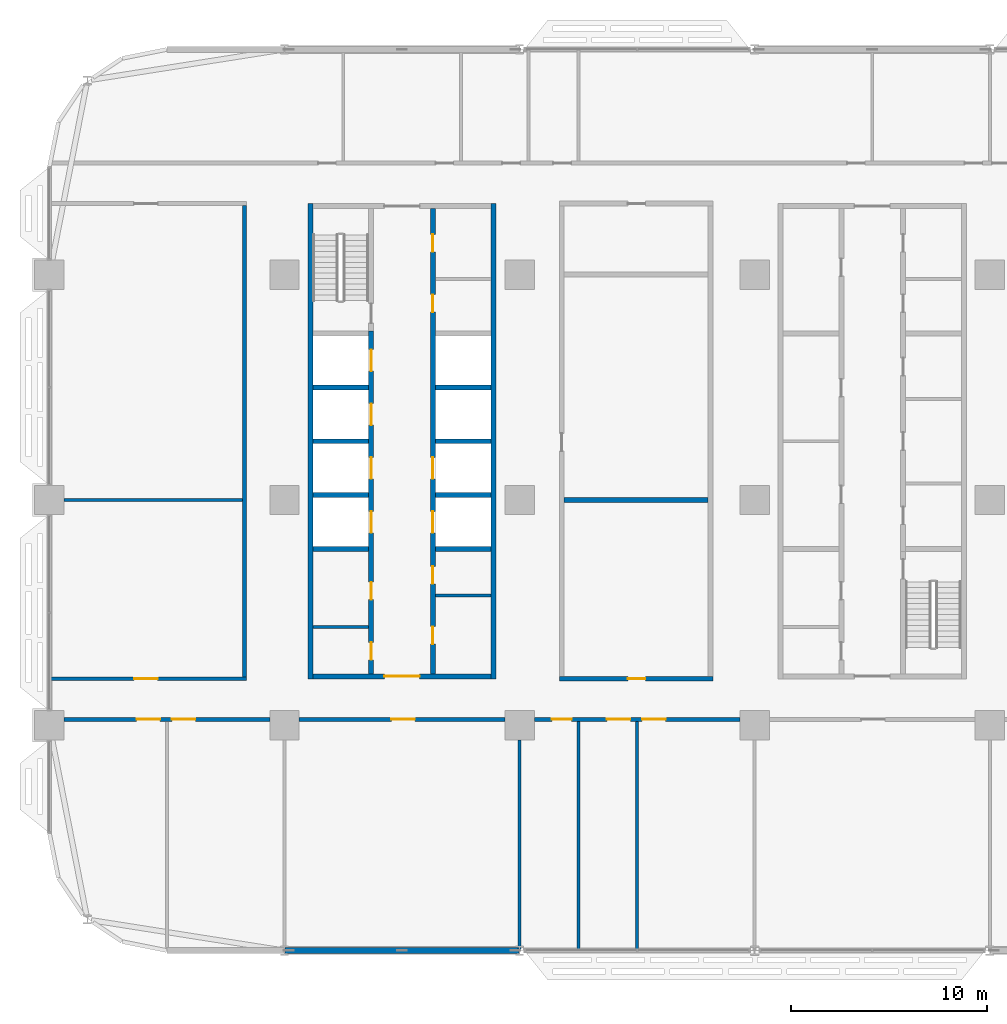
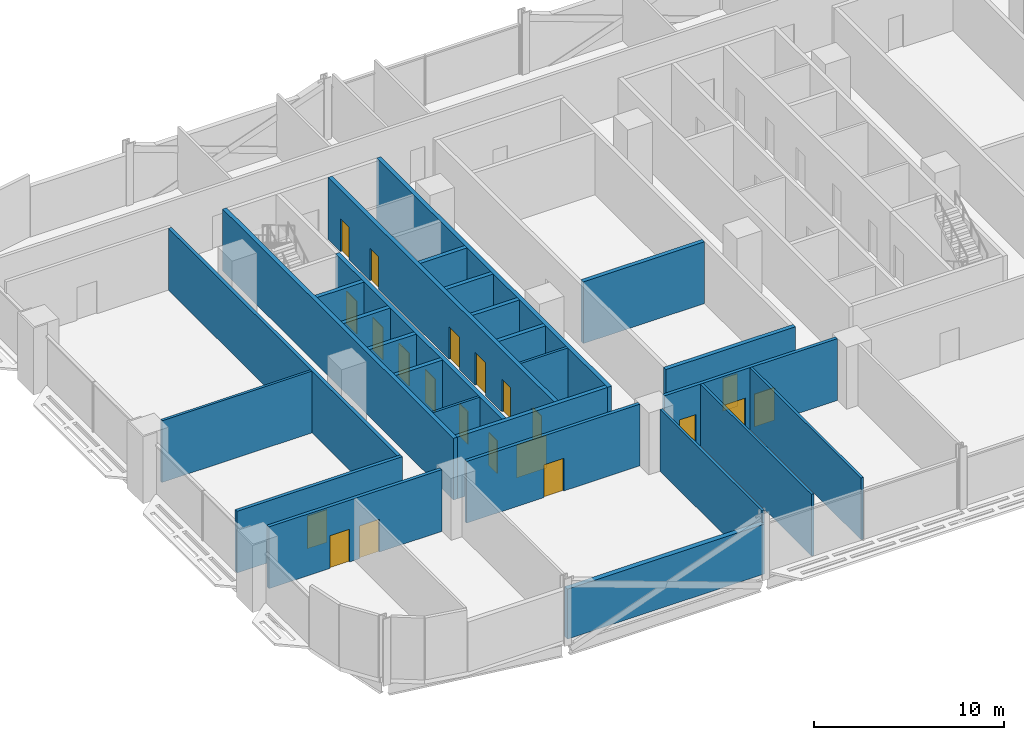
# One storey, part 12 of 29: 27 walls, 21 doors, 21 openings.
"""IFC4 building model written with IfcOpenShell, lengths in metres."""

from ifc_helpers import new_model, si_unit, direction, frame, frame_2d, origin, place, context, subcontext, project, spatial, rectangle, extrude, material, layer, layer_set, type_object, element, fill, save


model = new_model("IFC4")

# Units and contexts
model_context = context("Model", 3, precision=1e-05, world=origin(), true_north=direction((0.0, 1.0)))
body_context = subcontext(model_context, "Body", "Model", "MODEL_VIEW")
ifc_project = project(units=[si_unit("LENGTHUNIT", "METRE"), si_unit("AREAUNIT", "SQUARE_METRE"), si_unit("VOLUMEUNIT", "CUBIC_METRE"), si_unit("PLANEANGLEUNIT", "RADIAN"), si_unit("MASSUNIT", "GRAM", prefix="KILO")], contexts=[model_context])

# Site, building, storey
site_placement = place(None, origin())
site = spatial("IfcSite", under=ifc_project, at=site_placement, CompositionType="ELEMENT")
building_placement = place(site_placement, origin())
building = spatial("IfcBuilding", under=site, at=building_placement, Name="Mahtab Terrace Research Tower", CompositionType="ELEMENT")
storey_placement = place(building_placement, frame((0.0, 0.0, 67.5)))
storey = spatial("IfcBuildingStorey", under=building, at=storey_placement, Name="L15", CompositionType="ELEMENT", Elevation=67.5)

# Walls
ifc_material_1 = material(Name="Gypsum board partition")
ifc_layer_1 = layer(ifc_material_1, 0.14990234375)
ifc_layer_set_1 = layer_set([ifc_layer_1], Name="Core partition 150")
wall_type_1 = type_object("IfcWallType", Name="Core partition 150", PredefinedType="PARTITIONING", material=ifc_layer_set_1)
for number, where, z_axis, x_axis, name in (
    (1, (-28.550048828125, -6.47509765625, 0.0), (0.0, 0.0, 1.0), (1.0, 0.0, 0.0), "Core wall A pWS-948"),
    (2, (-22.300048828125, -4.875, 0.0), (0.0, 0.0, 1.0), (1.0, 0.0, 0.0), "Core wall A pES-788"),
):
    element("IfcWall", number, at=place(storey_placement, frame(where, z_axis=z_axis, x_axis=x_axis)), inside=storey, type_object=wall_type_1, Name=name, PredefinedType="PARTITIONING", context=body_context, shape_type="SweptSolid", body=[
        extrude(rectangle(XDim=2.85009765625, YDim=0.14990234375, at=frame_2d((1.425048828125, 0.0))), origin(), (0.0, 0.0, 1.0), 3.9599609375),
    ])
ifc_material_2 = material(Name="Concrete C70/85", Category="concrete")
ifc_layer_2 = layer(ifc_material_2, 0.25)
ifc_layer_set_2 = layer_set([ifc_layer_2], Name="Core wall 250")
wall_type_2 = type_object("IfcWallType", Name="Core wall 250", PredefinedType="SOLIDWALL", material=ifc_layer_set_2)
for number, where, z_axis, x_axis, name in (
    (3, (-28.675048828125, 15.125, 0.0), (0.0, 0.0, 1.0), (0.0, -1.0, 0.0), "Core wall A outerW"),
    (4, (-19.324951171875, -9.125, 0.0), (0.0, 0.0, 1.0), (0.0, 1.0, 0.0), "Core wall A outerE"),
):
    element("IfcWall", number, at=place(storey_placement, frame(where, z_axis=z_axis, x_axis=x_axis)), inside=storey, type_object=wall_type_2, Name=name, PredefinedType="SOLIDWALL", context=body_context, shape_type="SweptSolid", body=[
        extrude(rectangle(XDim=24.25, YDim=0.25, at=frame_2d((12.125, 0.0))), origin(), (0.0, 0.0, 1.0), 3.9599609375),
    ])

# Wall, opening, door
wall_1_placement = place(storey_placement, frame((-19.449951171875, -9.0, 0.0), z_axis=(0.0, 0.0, 1.0), x_axis=(-1.0, 0.0, 0.0)))
wall_1 = element("IfcWall", 5, at=wall_1_placement, inside=storey, type_object=wall_type_2, Name="Core wall A endS", PredefinedType="SOLIDWALL", context=body_context, shape_type="SweptSolid", body=[
    extrude(rectangle(XDim=9.10009765625, YDim=0.25, at=frame_2d((4.550048828125, 0.0))), origin(), (0.0, 0.0, 1.0), 3.9599609375),
])
opening_1_placement = place(wall_1_placement, frame((3.64990234375, 0.0, 0.0)))
opening_1 = element("IfcOpeningElement", 6, at=opening_1_placement, cuts=wall_1, Name="Opening A-S1", PredefinedType="OPENING", context=body_context, shape_type="SweptSolid", body=[
    extrude(rectangle(XDim=1.800048828125, YDim=2.10009765625, at=frame_2d((0.89990234375, 1.050048828125))), frame((0.0, 0.135009765625, 0.0), z_axis=(0.0, -1.0, 0.0), x_axis=(1.0, 0.0, 0.0)), (0.0, 0.0, 1.0), 0.27001953125),
])
ifc_material_3 = material(Name="Steel fire door", Category="steel")
door_type_1 = type_object("IfcDoorType", Name="Lobby double door 1800x2100 1 HR", OperationType="DOUBLE_DOOR_SINGLE_SWING", PredefinedType="DOOR", material=ifc_material_3)
door_1_placement = place(opening_1_placement, origin())
door_1 = element("IfcDoor", 7, at=door_1_placement, inside=storey, type_object=door_type_1, Name="Core entrance door A S", OperationType="DOUBLE_DOOR_SINGLE_SWING", OverallHeight=2.10009765625, OverallWidth=1.800048828125, PredefinedType="DOOR", context=body_context, shape_type="SweptSolid", body=[
    extrude(rectangle(XDim=1.800048828125, YDim=2.10009765625, at=frame_2d((0.89990234375, 1.050048828125))), frame((0.0, 0.02490234375, 0.0), z_axis=(0.0, -1.0, 0.0), x_axis=(1.0, 0.0, 0.0)), (0.0, 0.0, 1.0), 0.050048828125),
])
fill(opening_1, door_1)

# Wall, openings, doors
wall_2_placement = place(storey_placement, frame((-25.574951171875, -8.875, 0.0), z_axis=(0.0, 0.0, 1.0), x_axis=(0.0, 1.0, 0.0)))
wall_2 = element("IfcWall", 8, at=wall_2_placement, inside=storey, type_object=wall_type_2, Name="Core wall A innerWSL", PredefinedType="SOLIDWALL", context=body_context, shape_type="SweptSolid", body=[
    extrude(rectangle(XDim=17.5, YDim=0.25, at=frame_2d((8.75, 0.0))), origin(), (0.0, 0.0, 1.0), 3.9599609375),
])
opening_2_placement = place(wall_2_placement, frame((7.199951171875, 0.0, 0.0)))
opening_2 = element("IfcOpeningElement", 9, at=opening_2_placement, cuts=wall_2, Name="Opening LD01-L15", PredefinedType="OPENING", context=body_context, shape_type="SweptSolid", body=[
    extrude(rectangle(XDim=1.10009765625, YDim=2.10009765625, at=frame_2d((0.550048828125, 1.050048828125))), frame((0.0, 0.135009765625, 0.0), z_axis=(0.0, -1.0, 0.0), x_axis=(1.0, 0.0, 0.0)), (0.0, 0.0, 1.0), 0.27001953125),
])
opening_3_placement = place(wall_2_placement, frame((9.949951171875, 0.0, 0.0)))
opening_3 = element("IfcOpeningElement", 10, at=opening_3_placement, cuts=wall_2, Name="Opening LD02-L15", PredefinedType="OPENING", context=body_context, shape_type="SweptSolid", body=[
    extrude(rectangle(XDim=1.10009765625, YDim=2.10009765625, at=frame_2d((0.550048828125, 1.050048828125))), frame((0.0, 0.135009765625, 0.0), z_axis=(0.0, -1.0, 0.0), x_axis=(1.0, 0.0, 0.0)), (0.0, 0.0, 1.0), 0.27001953125),
])
opening_4_placement = place(wall_2_placement, frame((12.699951171875, 0.0, 0.0)))
opening_4 = element("IfcOpeningElement", 11, at=opening_4_placement, cuts=wall_2, Name="Opening LD03-L15", PredefinedType="OPENING", context=body_context, shape_type="SweptSolid", body=[
    extrude(rectangle(XDim=1.10009765625, YDim=2.10009765625, at=frame_2d((0.550048828125, 1.050048828125))), frame((0.0, 0.135009765625, 0.0), z_axis=(0.0, -1.0, 0.0), x_axis=(1.0, 0.0, 0.0)), (0.0, 0.0, 1.0), 0.27001953125),
])
opening_5_placement = place(wall_2_placement, frame((15.449951171875, 0.0, 0.0)))
opening_5 = element("IfcOpeningElement", 12, at=opening_5_placement, cuts=wall_2, Name="Opening LD04-L15", PredefinedType="OPENING", context=body_context, shape_type="SweptSolid", body=[
    extrude(rectangle(XDim=1.10009765625, YDim=2.10009765625, at=frame_2d((0.550048828125, 1.050048828125))), frame((0.0, 0.135009765625, 0.0), z_axis=(0.0, -1.0, 0.0), x_axis=(1.0, 0.0, 0.0)), (0.0, 0.0, 1.0), 0.27001953125),
])
opening_6_placement = place(wall_2_placement, frame((0.71240234375, 0.0, 0.0)))
opening_6 = element("IfcOpeningElement", 13, at=opening_6_placement, cuts=wall_2, Name="Opening A-R1", PredefinedType="OPENING", context=body_context, shape_type="SweptSolid", body=[
    extrude(rectangle(XDim=0.89990234375, YDim=2.10009765625, at=frame_2d((0.449951171875, 1.050048828125))), frame((0.0, 0.135009765625, 0.0), z_axis=(0.0, -1.0, 0.0), x_axis=(1.0, 0.0, 0.0)), (0.0, 0.0, 1.0), 0.27001953125),
])
opening_7_placement = place(wall_2_placement, frame((3.78759765625, 0.0, 0.0)))
opening_7 = element("IfcOpeningElement", 14, at=opening_7_placement, cuts=wall_2, Name="Opening A-R2", PredefinedType="OPENING", context=body_context, shape_type="SweptSolid", body=[
    extrude(rectangle(XDim=0.89990234375, YDim=2.10009765625, at=frame_2d((0.449951171875, 1.050048828125))), frame((0.0, 0.135009765625, 0.0), z_axis=(0.0, -1.0, 0.0), x_axis=(1.0, 0.0, 0.0)), (0.0, 0.0, 1.0), 0.27001953125),
])
ifc_material_4 = material(Name="Stainless steel AISI 304", Category="steel")
door_type_2 = type_object("IfcDoorType", Name="Landing door 1100x2100", OperationType="DOUBLE_DOOR_SLIDING", PredefinedType="DOOR", material=ifc_material_4)
door_2_placement = place(opening_2_placement, origin())
door_2 = element("IfcDoor", 15, at=door_2_placement, inside=storey, type_object=door_type_2, Name="Landing door LR1 L15", OperationType="DOUBLE_DOOR_SLIDING", OverallHeight=2.10009765625, OverallWidth=1.10009765625, PredefinedType="DOOR", context=body_context, shape_type="SweptSolid", body=[
    extrude(rectangle(XDim=1.10009765625, YDim=2.10009765625, at=frame_2d((0.550048828125, 1.050048828125))), frame((0.0, 0.02490234375, 0.0), z_axis=(0.0, -1.0, 0.0), x_axis=(1.0, 0.0, 0.0)), (0.0, 0.0, 1.0), 0.050048828125),
])
fill(opening_2, door_2)
door_3_placement = place(opening_3_placement, origin())
door_3 = element("IfcDoor", 16, at=door_3_placement, inside=storey, type_object=door_type_2, Name="Landing door LR2 L15", OperationType="DOUBLE_DOOR_SLIDING", OverallHeight=2.10009765625, OverallWidth=1.10009765625, PredefinedType="DOOR", context=body_context, shape_type="SweptSolid", body=[
    extrude(rectangle(XDim=1.10009765625, YDim=2.10009765625, at=frame_2d((0.550048828125, 1.050048828125))), frame((0.0, 0.02490234375, 0.0), z_axis=(0.0, -1.0, 0.0), x_axis=(1.0, 0.0, 0.0)), (0.0, 0.0, 1.0), 0.050048828125),
])
fill(opening_3, door_3)
door_4_placement = place(opening_4_placement, origin())
door_4 = element("IfcDoor", 17, at=door_4_placement, inside=storey, type_object=door_type_2, Name="Landing door LR3 L15", OperationType="DOUBLE_DOOR_SLIDING", OverallHeight=2.10009765625, OverallWidth=1.10009765625, PredefinedType="DOOR", context=body_context, shape_type="SweptSolid", body=[
    extrude(rectangle(XDim=1.10009765625, YDim=2.10009765625, at=frame_2d((0.550048828125, 1.050048828125))), frame((0.0, 0.02490234375, 0.0), z_axis=(0.0, -1.0, 0.0), x_axis=(1.0, 0.0, 0.0)), (0.0, 0.0, 1.0), 0.050048828125),
])
fill(opening_4, door_4)
door_5_placement = place(opening_5_placement, origin())
door_5 = element("IfcDoor", 18, at=door_5_placement, inside=storey, type_object=door_type_2, Name="Landing door LR4 L15", OperationType="DOUBLE_DOOR_SLIDING", OverallHeight=2.10009765625, OverallWidth=1.10009765625, PredefinedType="DOOR", context=body_context, shape_type="SweptSolid", body=[
    extrude(rectangle(XDim=1.10009765625, YDim=2.10009765625, at=frame_2d((0.550048828125, 1.050048828125))), frame((0.0, 0.02490234375, 0.0), z_axis=(0.0, -1.0, 0.0), x_axis=(1.0, 0.0, 0.0)), (0.0, 0.0, 1.0), 0.050048828125),
])
fill(opening_5, door_5)
door_type_3 = type_object("IfcDoorType", Name="Room door 900x2100 1 HR", OperationType="NOTDEFINED", PredefinedType="DOOR", material=ifc_material_3)
door_6_placement = place(opening_6_placement, origin())
door_6 = element("IfcDoor", 19, at=door_6_placement, inside=storey, type_object=door_type_3, Name="Accessible WC door", OperationType="SINGLE_SWING_LEFT", OverallHeight=2.10009765625, OverallWidth=0.89990234375, PredefinedType="DOOR", context=body_context, shape_type="SweptSolid", body=[
    extrude(rectangle(XDim=0.89990234375, YDim=2.10009765625, at=frame_2d((0.449951171875, 1.050048828125))), frame((0.0, 0.02490234375, 0.0), z_axis=(0.0, -1.0, 0.0), x_axis=(1.0, 0.0, 0.0)), (0.0, 0.0, 1.0), 0.050048828125),
])
fill(opening_6, door_6)
door_7_placement = place(opening_7_placement, origin())
door_7 = element("IfcDoor", 20, at=door_7_placement, inside=storey, type_object=door_type_3, Name="WC block door", OperationType="SINGLE_SWING_RIGHT", OverallHeight=2.10009765625, OverallWidth=0.89990234375, PredefinedType="DOOR", context=body_context, shape_type="SweptSolid", body=[
    extrude(rectangle(XDim=0.89990234375, YDim=2.10009765625, at=frame_2d((0.449951171875, 1.050048828125))), frame((0.0, 0.02490234375, 0.0), z_axis=(0.0, -1.0, 0.0), x_axis=(1.0, 0.0, 0.0)), (0.0, 0.0, 1.0), 0.050048828125),
])
fill(opening_7, door_7)

wall_3_placement = place(storey_placement, frame((-22.425048828125, 14.875, 0.0), z_axis=(0.0, 0.0, 1.0), x_axis=(0.0, -1.0, 0.0)))
wall_3 = element("IfcWall", 21, at=wall_3_placement, inside=storey, type_object=wall_type_2, Name="Core wall A innerESLN", PredefinedType="SOLIDWALL", context=body_context, shape_type="SweptSolid", body=[
    extrude(rectangle(XDim=23.75, YDim=0.25, at=frame_2d((11.875, 0.0))), origin(), (0.0, 0.0, 1.0), 3.9599609375),
])
opening_8_placement = place(wall_3_placement, frame((15.449951171875, 0.0, 0.0)))
opening_8 = element("IfcOpeningElement", 22, at=opening_8_placement, cuts=wall_3, Name="Opening LD05-L15", PredefinedType="OPENING", context=body_context, shape_type="SweptSolid", body=[
    extrude(rectangle(XDim=1.10009765625, YDim=2.10009765625, at=frame_2d((0.550048828125, 1.050048828125))), frame((0.0, 0.135009765625, 0.0), z_axis=(0.0, -1.0, 0.0), x_axis=(1.0, 0.0, 0.0)), (0.0, 0.0, 1.0), 0.27001953125),
])
opening_9_placement = place(wall_3_placement, frame((12.699951171875, 0.0, 0.0)))
opening_9 = element("IfcOpeningElement", 23, at=opening_9_placement, cuts=wall_3, Name="Opening LD06-L15", PredefinedType="OPENING", context=body_context, shape_type="SweptSolid", body=[
    extrude(rectangle(XDim=1.10009765625, YDim=2.10009765625, at=frame_2d((0.550048828125, 1.050048828125))), frame((0.0, 0.135009765625, 0.0), z_axis=(0.0, -1.0, 0.0), x_axis=(1.0, 0.0, 0.0)), (0.0, 0.0, 1.0), 0.27001953125),
])
opening_10_placement = place(wall_3_placement, frame((21.33740234375, 0.0, 0.0)))
opening_10 = element("IfcOpeningElement", 24, at=opening_10_placement, cuts=wall_3, Name="Opening A-R3", PredefinedType="OPENING", context=body_context, shape_type="SweptSolid", body=[
    extrude(rectangle(XDim=0.89990234375, YDim=2.10009765625, at=frame_2d((0.449951171875, 1.050048828125))), frame((0.0, 0.135009765625, 0.0), z_axis=(0.0, -1.0, 0.0), x_axis=(1.0, 0.0, 0.0)), (0.0, 0.0, 1.0), 0.27001953125),
])
opening_11_placement = place(wall_3_placement, frame((18.262451171875, 0.0, 0.0)))
opening_11 = element("IfcOpeningElement", 25, at=opening_11_placement, cuts=wall_3, Name="Opening A-R4", PredefinedType="OPENING", context=body_context, shape_type="SweptSolid", body=[
    extrude(rectangle(XDim=0.89990234375, YDim=2.10009765625, at=frame_2d((0.449951171875, 1.050048828125))), frame((0.0, 0.135009765625, 0.0), z_axis=(0.0, -1.0, 0.0), x_axis=(1.0, 0.0, 0.0)), (0.0, 0.0, 1.0), 0.27001953125),
])
opening_12_placement = place(wall_3_placement, frame((4.387451171875, 0.0, 0.0)))
opening_12 = element("IfcOpeningElement", 26, at=opening_12_placement, cuts=wall_3, Name="Opening A-R5", PredefinedType="OPENING", context=body_context, shape_type="SweptSolid", body=[
    extrude(rectangle(XDim=0.89990234375, YDim=2.10009765625, at=frame_2d((0.449951171875, 1.050048828125))), frame((0.0, 0.135009765625, 0.0), z_axis=(0.0, -1.0, 0.0), x_axis=(1.0, 0.0, 0.0)), (0.0, 0.0, 1.0), 0.27001953125),
])
opening_13_placement = place(wall_3_placement, frame((1.3125, 0.0, 0.0)))
opening_13 = element("IfcOpeningElement", 27, at=opening_13_placement, cuts=wall_3, Name="Opening A-R6", PredefinedType="OPENING", context=body_context, shape_type="SweptSolid", body=[
    extrude(rectangle(XDim=0.89990234375, YDim=2.10009765625, at=frame_2d((0.449951171875, 1.050048828125))), frame((0.0, 0.135009765625, 0.0), z_axis=(0.0, -1.0, 0.0), x_axis=(1.0, 0.0, 0.0)), (0.0, 0.0, 1.0), 0.27001953125),
])
door_8_placement = place(opening_8_placement, origin())
door_8 = element("IfcDoor", 28, at=door_8_placement, inside=storey, type_object=door_type_2, Name="Landing door LR5 L15", OperationType="DOUBLE_DOOR_SLIDING", OverallHeight=2.10009765625, OverallWidth=1.10009765625, PredefinedType="DOOR", context=body_context, shape_type="SweptSolid", body=[
    extrude(rectangle(XDim=1.10009765625, YDim=2.10009765625, at=frame_2d((0.550048828125, 1.050048828125))), frame((0.0, 0.02490234375, 0.0), z_axis=(0.0, -1.0, 0.0), x_axis=(1.0, 0.0, 0.0)), (0.0, 0.0, 1.0), 0.050048828125),
])
fill(opening_8, door_8)
door_9_placement = place(opening_9_placement, origin())
door_9 = element("IfcDoor", 29, at=door_9_placement, inside=storey, type_object=door_type_2, Name="Landing door LR6 L15", OperationType="DOUBLE_DOOR_SLIDING", OverallHeight=2.10009765625, OverallWidth=1.10009765625, PredefinedType="DOOR", context=body_context, shape_type="SweptSolid", body=[
    extrude(rectangle(XDim=1.10009765625, YDim=2.10009765625, at=frame_2d((0.550048828125, 1.050048828125))), frame((0.0, 0.02490234375, 0.0), z_axis=(0.0, -1.0, 0.0), x_axis=(1.0, 0.0, 0.0)), (0.0, 0.0, 1.0), 0.050048828125),
])
fill(opening_9, door_9)
door_10_placement = place(opening_10_placement, origin())
door_10 = element("IfcDoor", 30, at=door_10_placement, inside=storey, type_object=door_type_3, Name="IT equipment room door", OperationType="SINGLE_SWING_LEFT", OverallHeight=2.10009765625, OverallWidth=0.89990234375, PredefinedType="DOOR", context=body_context, shape_type="SweptSolid", body=[
    extrude(rectangle(XDim=0.89990234375, YDim=2.10009765625, at=frame_2d((0.449951171875, 1.050048828125))), frame((0.0, 0.02490234375, 0.0), z_axis=(0.0, -1.0, 0.0), x_axis=(1.0, 0.0, 0.0)), (0.0, 0.0, 1.0), 0.050048828125),
])
fill(opening_10, door_10)
door_11_placement = place(opening_11_placement, origin())
door_11 = element("IfcDoor", 31, at=door_11_placement, inside=storey, type_object=door_type_3, Name="Electrical riser room door", OperationType="SINGLE_SWING_RIGHT", OverallHeight=2.10009765625, OverallWidth=0.89990234375, PredefinedType="DOOR", context=body_context, shape_type="SweptSolid", body=[
    extrude(rectangle(XDim=0.89990234375, YDim=2.10009765625, at=frame_2d((0.449951171875, 1.050048828125))), frame((0.0, 0.02490234375, 0.0), z_axis=(0.0, -1.0, 0.0), x_axis=(1.0, 0.0, 0.0)), (0.0, 0.0, 1.0), 0.050048828125),
])
fill(opening_11, door_11)
door_12_placement = place(opening_12_placement, origin())
door_12 = element("IfcDoor", 32, at=door_12_placement, inside=storey, type_object=door_type_3, Name="Mechanical riser room door", OperationType="SINGLE_SWING_LEFT", OverallHeight=2.10009765625, OverallWidth=0.89990234375, PredefinedType="DOOR", context=body_context, shape_type="SweptSolid", body=[
    extrude(rectangle(XDim=0.89990234375, YDim=2.10009765625, at=frame_2d((0.449951171875, 1.050048828125))), frame((0.0, 0.02490234375, 0.0), z_axis=(0.0, -1.0, 0.0), x_axis=(1.0, 0.0, 0.0)), (0.0, 0.0, 1.0), 0.050048828125),
])
fill(opening_12, door_12)
door_13_placement = place(opening_13_placement, origin())
door_13 = element("IfcDoor", 33, at=door_13_placement, inside=storey, type_object=door_type_3, Name="Chemical store door", OperationType="SINGLE_SWING_RIGHT", OverallHeight=2.10009765625, OverallWidth=0.89990234375, PredefinedType="DOOR", context=body_context, shape_type="SweptSolid", body=[
    extrude(rectangle(XDim=0.89990234375, YDim=2.10009765625, at=frame_2d((0.449951171875, 1.050048828125))), frame((0.0, 0.02490234375, 0.0), z_axis=(0.0, -1.0, 0.0), x_axis=(1.0, 0.0, 0.0)), (0.0, 0.0, 1.0), 0.050048828125),
])
fill(opening_13, door_13)

# Walls
for number, where, z_axis, x_axis, name in (
    (34, (-28.550048828125, -2.5, 0.0), (0.0, 0.0, 1.0), (1.0, 0.0, 0.0), "Core wall A divW0"),
    (35, (-28.550048828125, 0.25, 0.0), (0.0, 0.0, 1.0), (1.0, 0.0, 0.0), "Core wall A divW1"),
    (36, (-28.550048828125, 3.0, 0.0), (0.0, 0.0, 1.0), (1.0, 0.0, 0.0), "Core wall A divW2"),
    (37, (-28.550048828125, 5.75, 0.0), (0.0, 0.0, 1.0), (1.0, 0.0, 0.0), "Core wall A divW3"),
    (38, (-22.300048828125, -2.5, 0.0), (0.0, 0.0, 1.0), (1.0, 0.0, 0.0), "Core wall A divE0"),
    (39, (-22.300048828125, 0.25, 0.0), (0.0, 0.0, 1.0), (1.0, 0.0, 0.0), "Core wall A divE1"),
    (40, (-22.300048828125, 3.0, 0.0), (0.0, 0.0, 1.0), (1.0, 0.0, 0.0), "Core wall A divE2"),
    (41, (-22.300048828125, 5.75, 0.0), (0.0, 0.0, 1.0), (1.0, 0.0, 0.0), "Core wall A divE3"),
):
    element("IfcWall", number, at=place(storey_placement, frame(where, z_axis=z_axis, x_axis=x_axis)), inside=storey, type_object=wall_type_2, Name=name, PredefinedType="SOLIDWALL", context=body_context, shape_type="SweptSolid", body=[
        extrude(rectangle(XDim=2.85009765625, YDim=0.25, at=frame_2d((1.425048828125, 0.0))), origin(), (0.0, 0.0, 1.0), 3.9599609375),
    ])
ifc_material_5 = material(Name="Black aluminium cladding panel", Category="aluminium")
ifc_layer_3 = layer(ifc_material_5, 0.300048828125)
ifc_layer_set_3 = layer_set([ifc_layer_3], Name="Opaque facade wall 300")
wall_type_3 = type_object("IfcWallType", Name="Opaque facade wall 300", PredefinedType="NOTDEFINED", material=ifc_layer_set_3)
wall_4_placement = place(storey_placement, frame((-29.97607421875, -23.0, 0.0), z_axis=(0.0, 0.0, 1.0), x_axis=(1.0, 0.0, 0.0)))
element("IfcWall", 42, at=wall_4_placement, inside=storey, type_object=wall_type_3, Name="Opaque facade wall L15 S24", PredefinedType="NOTDEFINED", context=body_context, shape_type="SweptSolid", body=[
    extrude(rectangle(XDim=11.9521484375, YDim=0.300048828125, at=frame_2d((5.97607421875, 0.0))), origin(), (0.0, 0.0, 1.0), 3.203125),
])

# Wall, opening, door
ifc_material_6 = material(Name="Masonry control area wall", Category="masonry")
ifc_layer_4 = layer(ifc_material_6, 0.25)
ifc_layer_set_4 = layer_set([ifc_layer_4], Name="WALL CONTROL AREA 250")
wall_type_4 = type_object("IfcWallType", Name="WALL CONTROL AREA 250", PredefinedType="PARTITIONING", material=ifc_layer_set_4)
wall_5_placement = place(storey_placement, frame((-15.97509765625, -9.125, 0.0), z_axis=(0.0, 0.0, 1.0), x_axis=(1.0, 0.0, 0.0)))
wall_5 = element("IfcWall", 43, at=wall_5_placement, inside=storey, type_object=wall_type_4, Name="L15-W010", PredefinedType="PARTITIONING", context=body_context, shape_type="SweptSolid", body=[
    extrude(rectangle(XDim=7.85009765625, YDim=0.25, at=frame_2d((3.925048828125, 0.0))), origin(), (0.0, 0.0, 1.0), 3.9599609375),
])
opening_14_placement = place(wall_5_placement, frame((3.5, 0.0, 0.0)))
opening_14 = element("IfcOpeningElement", 44, at=opening_14_placement, cuts=wall_5, Name="Opening L15-117", PredefinedType="OPENING", context=body_context, shape_type="SweptSolid", body=[
    extrude(rectangle(XDim=0.89990234375, YDim=2.10009765625, at=frame_2d((0.449951171875, 1.050048828125))), frame((0.0, 0.135009765625, 0.0), z_axis=(0.0, -1.0, 0.0), x_axis=(1.0, 0.0, 0.0)), (0.0, 0.0, 1.0), 0.27001953125),
])
ifc_material_7 = material(Name="Timber door leaf in steel frame", Category="steel")
door_type_4 = type_object("IfcDoorType", Name="DOOR 0900X2100 FD120", OperationType="SINGLE_SWING_LEFT", PredefinedType="DOOR", material=ifc_material_7)
door_14_placement = place(opening_14_placement, origin())
door_14 = element("IfcDoor", 45, at=door_14_placement, inside=storey, type_object=door_type_4, Name="Door L15-117", OperationType="SINGLE_SWING_RIGHT", OverallHeight=2.10009765625, OverallWidth=0.89990234375, PredefinedType="DOOR", context=body_context, shape_type="SweptSolid", body=[
    extrude(rectangle(XDim=0.89990234375, YDim=2.10009765625, at=frame_2d((0.449951171875, 1.050048828125))), frame((0.0, 0.02490234375, 0.0), z_axis=(0.0, -1.0, 0.0), x_axis=(1.0, 0.0, 0.0)), (0.0, 0.0, 1.0), 0.050048828125),
])
fill(opening_14, door_14)

# Wall
wall_6_placement = place(storey_placement, frame((-15.72509765625, 0.0, 0.0), z_axis=(0.0, 0.0, 1.0), x_axis=(1.0, 0.0, 0.0)))
element("IfcWall", 46, at=wall_6_placement, inside=storey, type_object=wall_type_4, Name="L15-W014", PredefinedType="PARTITIONING", context=body_context, shape_type="SweptSolid", body=[
    extrude(rectangle(XDim=7.35009765625, YDim=0.25, at=frame_2d((3.675048828125, 0.0))), origin(), (0.0, 0.0, 1.0), 3.9599609375),
])

# Wall, openings, doors
ifc_material_8 = material(Name="Gypsum board corridor wall on steel studs", Category="steel")
ifc_layer_5 = layer(ifc_material_8, 0.199951171875)
ifc_layer_set_5 = layer_set([ifc_layer_5], Name="WALL CORRIDOR 200")
wall_type_5 = type_object("IfcWallType", Name="WALL CORRIDOR 200", PredefinedType="PARTITIONING", material=ifc_layer_set_5)
wall_7_placement = place(storey_placement, frame((-41.25, -11.199951171875, 0.0), z_axis=(0.0, 0.0, 1.0), x_axis=(1.0, 0.0, 0.0)))
wall_7 = element("IfcWall", 47, at=wall_7_placement, inside=storey, type_object=wall_type_5, Name="L15-W001", PredefinedType="PARTITIONING", context=body_context, shape_type="SweptSolid", body=[
    extrude(rectangle(XDim=10.5, YDim=0.199951171875, at=frame_2d((5.25, 0.0))), origin(), (0.0, 0.0, 1.0), 3.9599609375),
])
opening_15_placement = place(wall_7_placement, frame((3.699951171875, 0.0, 0.0)))
opening_15 = element("IfcOpeningElement", 48, at=opening_15_placement, cuts=wall_7, Name="Opening L15-101", PredefinedType="OPENING", context=body_context, shape_type="SweptSolid", body=[
    extrude(rectangle(XDim=1.199951171875, YDim=2.10009765625, at=frame_2d((0.60009765625, 1.050048828125))), frame((0.0, 0.10986328125, 0.0), z_axis=(0.0, -1.0, 0.0), x_axis=(1.0, 0.0, 0.0)), (0.0, 0.0, 1.0), 0.219970703125),
])
opening_16_placement = place(wall_7_placement, frame((5.5, 0.0, 0.0)))
opening_16 = element("IfcOpeningElement", 49, at=opening_16_placement, cuts=wall_7, Name="Opening L15-102", PredefinedType="OPENING", context=body_context, shape_type="SweptSolid", body=[
    extrude(rectangle(XDim=1.199951171875, YDim=2.10009765625, at=frame_2d((0.60009765625, 1.050048828125))), frame((0.0, 0.10986328125, 0.0), z_axis=(0.0, -1.0, 0.0), x_axis=(1.0, 0.0, 0.0)), (0.0, 0.0, 1.0), 0.219970703125),
])
door_type_5 = type_object("IfcDoorType", Name="DOOR 1200X2100 FD30S", OperationType="SINGLE_SWING_LEFT", PredefinedType="DOOR", material=ifc_material_7)
door_15_placement = place(opening_15_placement, origin())
door_15 = element("IfcDoor", 50, at=door_15_placement, inside=storey, type_object=door_type_5, Name="Door L15-101", OperationType="SINGLE_SWING_RIGHT", OverallHeight=2.10009765625, OverallWidth=1.199951171875, PredefinedType="DOOR", context=body_context, shape_type="SweptSolid", body=[
    extrude(rectangle(XDim=1.199951171875, YDim=2.10009765625, at=frame_2d((0.60009765625, 1.050048828125))), frame((0.0, 0.02490234375, 0.0), z_axis=(0.0, -1.0, 0.0), x_axis=(1.0, 0.0, 0.0)), (0.0, 0.0, 1.0), 0.050048828125),
])
fill(opening_15, door_15)
door_16_placement = place(opening_16_placement, origin())
door_16 = element("IfcDoor", 51, at=door_16_placement, inside=storey, type_object=door_type_5, Name="Door L15-102", OperationType="SINGLE_SWING_LEFT", OverallHeight=2.10009765625, OverallWidth=1.199951171875, PredefinedType="DOOR", context=body_context, shape_type="SweptSolid", body=[
    extrude(rectangle(XDim=1.199951171875, YDim=2.10009765625, at=frame_2d((0.60009765625, 1.050048828125))), frame((0.0, 0.02490234375, 0.0), z_axis=(0.0, -1.0, 0.0), x_axis=(1.0, 0.0, 0.0)), (0.0, 0.0, 1.0), 0.050048828125),
])
fill(opening_16, door_16)

# Wall, opening, door
wall_8_placement = place(storey_placement, frame((-29.25, -11.199951171875, 0.0), z_axis=(0.0, 0.0, 1.0), x_axis=(1.0, 0.0, 0.0)))
wall_8 = element("IfcWall", 52, at=wall_8_placement, inside=storey, type_object=wall_type_5, Name="L15-W002", PredefinedType="PARTITIONING", context=body_context, shape_type="SweptSolid", body=[
    extrude(rectangle(XDim=10.5, YDim=0.199951171875, at=frame_2d((5.25, 0.0))), origin(), (0.0, 0.0, 1.0), 3.9599609375),
])
opening_17_placement = place(wall_8_placement, frame((4.699951171875, 0.0, 0.0)))
opening_17 = element("IfcOpeningElement", 53, at=opening_17_placement, cuts=wall_8, Name="Opening L15-103", PredefinedType="OPENING", context=body_context, shape_type="SweptSolid", body=[
    extrude(rectangle(XDim=1.199951171875, YDim=2.10009765625, at=frame_2d((0.60009765625, 1.050048828125))), frame((0.0, 0.10986328125, 0.0), z_axis=(0.0, -1.0, 0.0), x_axis=(1.0, 0.0, 0.0)), (0.0, 0.0, 1.0), 0.219970703125),
])
door_17_placement = place(opening_17_placement, origin())
door_17 = element("IfcDoor", 54, at=door_17_placement, inside=storey, type_object=door_type_5, Name="Door L15-103", OperationType="SINGLE_SWING_LEFT", OverallHeight=2.10009765625, OverallWidth=1.199951171875, PredefinedType="DOOR", context=body_context, shape_type="SweptSolid", body=[
    extrude(rectangle(XDim=1.199951171875, YDim=2.10009765625, at=frame_2d((0.60009765625, 1.050048828125))), frame((0.0, 0.02490234375, 0.0), z_axis=(0.0, -1.0, 0.0), x_axis=(1.0, 0.0, 0.0)), (0.0, 0.0, 1.0), 0.050048828125),
])
fill(opening_17, door_17)

# Wall, openings, doors
wall_9_placement = place(storey_placement, frame((-17.25, -11.199951171875, 0.0), z_axis=(0.0, 0.0, 1.0), x_axis=(1.0, 0.0, 0.0)))
wall_9 = element("IfcWall", 55, at=wall_9_placement, inside=storey, type_object=wall_type_5, Name="L15-W003", PredefinedType="PARTITIONING", context=body_context, shape_type="SweptSolid", body=[
    extrude(rectangle(XDim=10.5, YDim=0.199951171875, at=frame_2d((5.25, 0.0))), origin(), (0.0, 0.0, 1.0), 3.9599609375),
])
opening_18_placement = place(wall_9_placement, frame((0.89990234375, 0.0, 0.0)))
opening_18 = element("IfcOpeningElement", 56, at=opening_18_placement, cuts=wall_9, Name="Opening L15-104", PredefinedType="OPENING", context=body_context, shape_type="SweptSolid", body=[
    extrude(rectangle(XDim=1.0, YDim=2.10009765625, at=frame_2d((0.5, 1.050048828125))), frame((0.0, 0.10986328125, 0.0), z_axis=(0.0, -1.0, 0.0), x_axis=(1.0, 0.0, 0.0)), (0.0, 0.0, 1.0), 0.219970703125),
])
opening_19_placement = place(wall_9_placement, frame((3.699951171875, 0.0, 0.0)))
opening_19 = element("IfcOpeningElement", 57, at=opening_19_placement, cuts=wall_9, Name="Opening L15-105", PredefinedType="OPENING", context=body_context, shape_type="SweptSolid", body=[
    extrude(rectangle(XDim=1.199951171875, YDim=2.10009765625, at=frame_2d((0.60009765625, 1.050048828125))), frame((0.0, 0.10986328125, 0.0), z_axis=(0.0, -1.0, 0.0), x_axis=(1.0, 0.0, 0.0)), (0.0, 0.0, 1.0), 0.219970703125),
])
opening_20_placement = place(wall_9_placement, frame((5.5, 0.0, 0.0)))
opening_20 = element("IfcOpeningElement", 58, at=opening_20_placement, cuts=wall_9, Name="Opening L15-106", PredefinedType="OPENING", context=body_context, shape_type="SweptSolid", body=[
    extrude(rectangle(XDim=1.199951171875, YDim=2.10009765625, at=frame_2d((0.60009765625, 1.050048828125))), frame((0.0, 0.10986328125, 0.0), z_axis=(0.0, -1.0, 0.0), x_axis=(1.0, 0.0, 0.0)), (0.0, 0.0, 1.0), 0.219970703125),
])
door_type_6 = type_object("IfcDoorType", Name="DOOR 1000X2100 FD30S", OperationType="SINGLE_SWING_LEFT", PredefinedType="DOOR", material=ifc_material_7)
door_18_placement = place(opening_18_placement, origin())
door_18 = element("IfcDoor", 59, at=door_18_placement, inside=storey, type_object=door_type_6, Name="Door L15-104", OperationType="SINGLE_SWING_RIGHT", OverallHeight=2.10009765625, OverallWidth=1.0, PredefinedType="DOOR", context=body_context, shape_type="SweptSolid", body=[
    extrude(rectangle(XDim=1.0, YDim=2.10009765625, at=frame_2d((0.5, 1.050048828125))), frame((0.0, 0.02490234375, 0.0), z_axis=(0.0, -1.0, 0.0), x_axis=(1.0, 0.0, 0.0)), (0.0, 0.0, 1.0), 0.050048828125),
])
fill(opening_18, door_18)
door_19_placement = place(opening_19_placement, origin())
door_19 = element("IfcDoor", 60, at=door_19_placement, inside=storey, type_object=door_type_5, Name="Door L15-105", OperationType="SINGLE_SWING_RIGHT", OverallHeight=2.10009765625, OverallWidth=1.199951171875, PredefinedType="DOOR", context=body_context, shape_type="SweptSolid", body=[
    extrude(rectangle(XDim=1.199951171875, YDim=2.10009765625, at=frame_2d((0.60009765625, 1.050048828125))), frame((0.0, 0.02490234375, 0.0), z_axis=(0.0, -1.0, 0.0), x_axis=(1.0, 0.0, 0.0)), (0.0, 0.0, 1.0), 0.050048828125),
])
fill(opening_19, door_19)
door_20_placement = place(opening_20_placement, origin())
door_20 = element("IfcDoor", 61, at=door_20_placement, inside=storey, type_object=door_type_5, Name="Door L15-106", OperationType="SINGLE_SWING_LEFT", OverallHeight=2.10009765625, OverallWidth=1.199951171875, PredefinedType="DOOR", context=body_context, shape_type="SweptSolid", body=[
    extrude(rectangle(XDim=1.199951171875, YDim=2.10009765625, at=frame_2d((0.60009765625, 1.050048828125))), frame((0.0, 0.02490234375, 0.0), z_axis=(0.0, -1.0, 0.0), x_axis=(1.0, 0.0, 0.0)), (0.0, 0.0, 1.0), 0.050048828125),
])
fill(opening_20, door_20)

# Wall, opening, door
wall_10_placement = place(storey_placement, frame((-41.97509765625, -9.125, 0.0), z_axis=(0.0, 0.0, 1.0), x_axis=(1.0, 0.0, 0.0)))
wall_10 = element("IfcWall", 62, at=wall_10_placement, inside=storey, type_object=wall_type_5, Name="L15-W009", PredefinedType="PARTITIONING", context=body_context, shape_type="SweptSolid", body=[
    extrude(rectangle(XDim=10.025146484375, YDim=0.199951171875, at=frame_2d((5.0126953125, 0.0))), origin(), (0.0, 0.0, 1.0), 3.9599609375),
])
opening_21_placement = place(wall_10_placement, frame((4.300048828125, 0.0, 0.0)))
opening_21 = element("IfcOpeningElement", 63, at=opening_21_placement, cuts=wall_10, Name="Opening L15-116", PredefinedType="OPENING", context=body_context, shape_type="SweptSolid", body=[
    extrude(rectangle(XDim=1.199951171875, YDim=2.10009765625, at=frame_2d((0.60009765625, 1.050048828125))), frame((0.0, 0.10986328125, 0.0), z_axis=(0.0, -1.0, 0.0), x_axis=(1.0, 0.0, 0.0)), (0.0, 0.0, 1.0), 0.219970703125),
])
door_21_placement = place(opening_21_placement, origin())
door_21 = element("IfcDoor", 64, at=door_21_placement, inside=storey, type_object=door_type_5, Name="Door L15-116", OperationType="SINGLE_SWING_LEFT", OverallHeight=2.10009765625, OverallWidth=1.199951171875, PredefinedType="DOOR", context=body_context, shape_type="SweptSolid", body=[
    extrude(rectangle(XDim=1.199951171875, YDim=2.10009765625, at=frame_2d((0.60009765625, 1.050048828125))), frame((0.0, 0.02490234375, 0.0), z_axis=(0.0, -1.0, 0.0), x_axis=(1.0, 0.0, 0.0)), (0.0, 0.0, 1.0), 0.050048828125),
])
fill(opening_21, door_21)

# Walls
wall_11_placement = place(storey_placement, frame((-32.050048828125, -9.02490234375, 0.0), z_axis=(0.0, 0.0, 1.0), x_axis=(0.0, 1.0, 0.0)))
element("IfcWall", 65, at=wall_11_placement, inside=storey, type_object=wall_type_5, Name="L15-W027", PredefinedType="PARTITIONING", context=body_context, shape_type="SweptSolid", body=[
    extrude(rectangle(XDim=24.0498046875, YDim=0.199951171875, at=frame_2d((12.02490234375, 0.0))), origin(), (0.0, 0.0, 1.0), 3.9599609375),
])
ifc_material_9 = material(Name="Gypsum board partition on steel studs", Category="steel")
ifc_layer_6 = layer(ifc_material_9, 0.14990234375)
ifc_layer_set_6 = layer_set([ifc_layer_6], Name="WALL PARTITION 150")
wall_type_6 = type_object("IfcWallType", Name="WALL PARTITION 150", PredefinedType="PARTITIONING", material=ifc_layer_set_6)
wall_12_placement = place(storey_placement, frame((-41.25, 0.0, 0.0), z_axis=(0.0, 0.0, 1.0), x_axis=(1.0, 0.0, 0.0)))
element("IfcWall", 66, at=wall_12_placement, inside=storey, type_object=wall_type_6, Name="L15-W013", PredefinedType="PARTITIONING", context=body_context, shape_type="SweptSolid", body=[
    extrude(rectangle(XDim=9.10009765625, YDim=0.14990234375, at=frame_2d((4.550048828125, 0.0))), origin(), (0.0, 0.0, 1.0), 3.9599609375),
])
wall_13_placement = place(storey_placement, frame((-18.0, -22.97509765625, 0.0), z_axis=(0.0, 0.0, 1.0), x_axis=(0.0, 1.0, 0.0)))
element("IfcWall", 67, at=wall_13_placement, inside=storey, type_object=wall_type_6, Name="L15-W031", PredefinedType="PARTITIONING", context=body_context, shape_type="SweptSolid", body=[
    extrude(rectangle(XDim=10.72509765625, YDim=0.14990234375, at=frame_2d((5.362548828125, 0.0))), origin(), (0.0, 0.0, 1.0), 3.9599609375),
])
for number, where, z_axis, x_axis, name in (
    (68, (-15.0, -22.97509765625, 0.0), (0.0, 0.0, 1.0), (0.0, 1.0, 0.0), "L15-W034"),
    (69, (-12.0, -22.97509765625, 0.0), (0.0, 0.0, 1.0), (0.0, 1.0, 0.0), "L15-W036"),
):
    element("IfcWall", number, at=place(storey_placement, frame(where, z_axis=z_axis, x_axis=x_axis)), inside=storey, type_object=wall_type_6, Name=name, PredefinedType="PARTITIONING", context=body_context, shape_type="SweptSolid", body=[
        extrude(rectangle(XDim=11.675048828125, YDim=0.14990234375, at=frame_2d((5.83740234375, 0.0))), origin(), (0.0, 0.0, 1.0), 3.9599609375),
    ])

save(model, "model.ifc")
